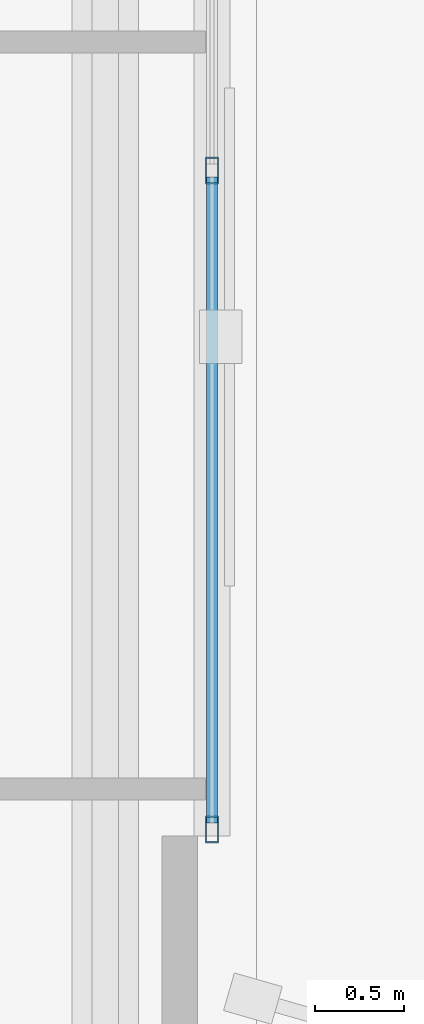
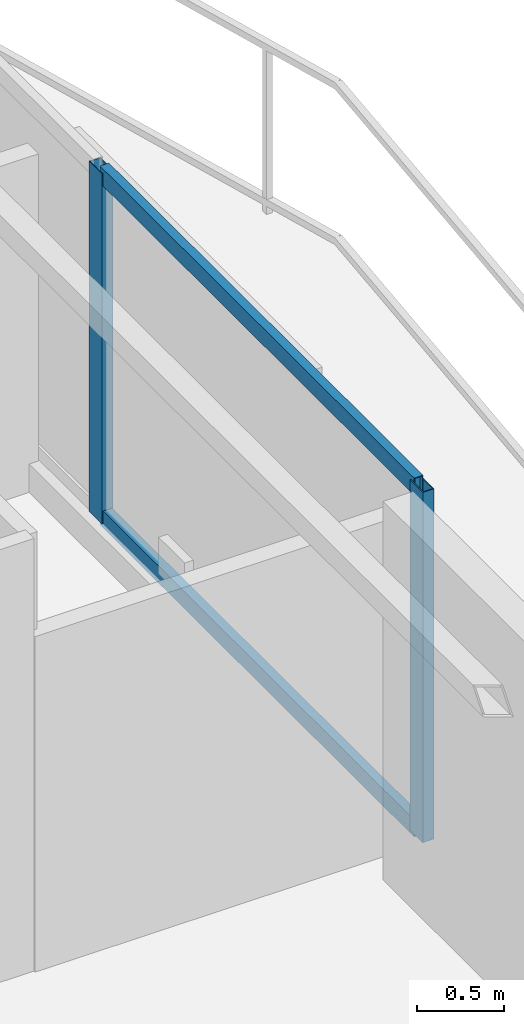
# One storey, part 8 of 23: 4 members, 1 element without a shape of its own.
"""IFC4 building model written with IfcOpenShell, lengths in metres."""

import ifcopenshell
import ifcopenshell.guid

model = None  # the IFC model being written
_history = None  # IfcOwnerHistory: only IFC2X3 demands one
_inside = {}  # id of a spatial element -> (the spatial element, [elements in it])
_under = {}  # id of a project, library or spatial element -> (it, [spatial elements below it])
_declared = {}  # id of a project -> (the project, [libraries it declares])
_typed = {}  # id of a type object -> (the type object, [elements of that type])
_made_of = {}  # id of a material, layer set ... -> (it, [elements and type objects made of it])


def new_model(schema):
    """Start an empty IFC model of exactly this schema.

    Asked for "IFC4X3", IfcOpenShell would pick the latest addendum, in which some entities
    have other attributes; the version numbers below select the first issue.
    IFC2X3 requires an IfcOwnerHistory on every rooted entity: one is made here for all.
    """
    global model, _history
    if schema == "IFC4X3":
        model = ifcopenshell.file(schema_version=(4, 3, 0, 0))
    else:
        model = ifcopenshell.file(schema=schema)
    _inside.clear()
    _under.clear()
    _declared.clear()
    _typed.clear()
    _made_of.clear()
    _history = None
    if model.schema == "IFC2X3":
        org = make("IfcOrganization", Name="unknown")
        user = make(
            "IfcPersonAndOrganization",
            ThePerson=make("IfcPerson", FamilyName="unknown"),
            TheOrganization=org,
        )
        app = make(
            "IfcApplication",
            ApplicationDeveloper=org,
            Version="unknown",
            ApplicationFullName="unknown",
            ApplicationIdentifier="unknown",
        )
        _history = make(
            "IfcOwnerHistory",
            OwningUser=user,
            OwningApplication=app,
            ChangeAction="ADDED",
            CreationDate=0,
        )
    return model


def make(cls, **values):
    """One entity of the class cls with the attributes given. An attribute that is None is left unset."""
    return model.create_entity(
        cls, **{name: value for name, value in values.items() if value is not None}
    )


def rooted(cls, **values):
    """An entity with a GlobalId (a new one), such as an element, a storey or a relation."""
    return make(cls, GlobalId=ifcopenshell.guid.new(), OwnerHistory=_history, **values)


def si_unit(unit_type, name, prefix=None):
    """IfcSIUnit, for example si_unit("LENGTHUNIT", "METRE", prefix="MILLI")."""
    return make("IfcSIUnit", UnitType=unit_type, Prefix=prefix, Name=name)


def assignment(units):
    """IfcUnitAssignment: the units of a project."""
    return None if units is None else make("IfcUnitAssignment", Units=units)


def point(xyz):
    """IfcCartesianPoint."""
    return None if xyz is None else make("IfcCartesianPoint", Coordinates=xyz)


def direction(xyz):
    """IfcDirection."""
    return None if xyz is None else make("IfcDirection", DirectionRatios=xyz)


def frame(location, z_axis=None, x_axis=None):
    """IfcAxis2Placement3D, a coordinate frame: its origin and axes. An axis left out is left unset."""
    return make(
        "IfcAxis2Placement3D",
        Location=point(location),
        Axis=direction(z_axis),
        RefDirection=direction(x_axis),
    )


def frame_2d(location, x_axis=None):
    """IfcAxis2Placement2D, a coordinate frame in the plane: its origin and x axis."""
    return make(
        "IfcAxis2Placement2D", Location=point(location), RefDirection=direction(x_axis)
    )


def origin():
    """The frame at (0, 0, 0) with its axes left unset."""
    return frame((0.0, 0.0, 0.0))


def origin_2d():
    """The frame at (0, 0) in the plane with its x axis left unset."""
    return frame_2d((0.0, 0.0))


def place(relative_to, where):
    """IfcLocalPlacement: puts the frame where relative to a parent placement (None: the world)."""
    return make(
        "IfcLocalPlacement", PlacementRelTo=relative_to, RelativePlacement=where
    )


def context(
    kind, dimensions, precision=None, world=None, true_north=None, identifier=None
):
    """IfcGeometricRepresentationContext, for example the 3D "Model" context."""
    return make(
        "IfcGeometricRepresentationContext",
        ContextIdentifier=identifier,
        ContextType=kind,
        CoordinateSpaceDimension=dimensions,
        Precision=precision,
        WorldCoordinateSystem=world,
        TrueNorth=true_north,
    )


def subcontext(parent, identifier, kind, view, scale=None):
    """IfcGeometricRepresentationSubContext, for example "Body" below "Model"."""
    return make(
        "IfcGeometricRepresentationSubContext",
        ContextIdentifier=identifier,
        ContextType=kind,
        ParentContext=parent,
        TargetScale=scale,
        TargetView=view,
    )


def project(units=None, contexts=None):
    """IfcProject with its units and contexts."""
    return rooted(
        "IfcProject",
        Name="project",
        RepresentationContexts=contexts,
        UnitsInContext=assignment(units),
    )


def spatial(cls, under=None, at=None, **own):
    """A site, building, storey or space (cls), placed at a placement, below another one or the project."""
    s = rooted(cls, ObjectPlacement=at, **own)
    if under is not None:
        _under.setdefault(under.id(), (under, []))[1].append(s)
    return s


def profile(cls, at=None, kind="AREA", **sizes):
    """A parametric profile (cls). Its sizes go by their IFC names, for example OverallWidth=200.0."""
    return make(cls, ProfileType=kind, Position=at, **sizes)


def hollow_rectangle(**sizes):
    """IfcRectangleHollowProfileDef."""
    return profile("IfcRectangleHollowProfileDef", **sizes)


def extrude(swept, where, along, depth):
    """IfcExtrudedAreaSolid: the profile swept, set in the frame where, extruded along a direction by depth."""
    return make(
        "IfcExtrudedAreaSolid",
        SweptArea=swept,
        Position=where,
        ExtrudedDirection=direction(along),
        Depth=depth,
    )


def shape(context_of_items, identifier, shape_type, items):
    """IfcShapeRepresentation: the items that make up one representation, for example the "Body"."""
    return make(
        "IfcShapeRepresentation",
        ContextOfItems=context_of_items,
        RepresentationIdentifier=identifier,
        RepresentationType=shape_type,
        Items=items,
    )


def material(Name=None, Category=None):
    """IfcMaterial."""
    return make("IfcMaterial", Name=Name, Category=Category)


def layer(
    of_material, thickness, ventilated=None, Name=None, Category=None, Priority=None
):
    """IfcMaterialLayer: one layer of a wall or slab, of a material (None: an air gap)."""
    return make(
        "IfcMaterialLayer",
        Material=of_material,
        LayerThickness=thickness,
        IsVentilated=ventilated,
        Name=Name,
        Category=Category,
        Priority=Priority,
    )


def layer_set(layers, Name=None):
    """IfcMaterialLayerSet."""
    return make("IfcMaterialLayerSet", MaterialLayers=layers, LayerSetName=Name)


def material_profile(
    of_material, cross_section, Name=None, Category=None, Priority=None
):
    """IfcMaterialProfile: a cross section and its material."""
    return make(
        "IfcMaterialProfile",
        Name=Name,
        Material=of_material,
        Profile=cross_section,
        Priority=Priority,
        Category=Category,
    )


def profile_set(profiles, Name=None, composite=None):
    """IfcMaterialProfileSet."""
    return make(
        "IfcMaterialProfileSet",
        Name=Name,
        MaterialProfiles=profiles,
        CompositeProfile=composite,
    )


def made_of(thing, what):
    """Note that an element or type object is made of a material, layer set ...; save() writes the relation."""
    if what is not None:
        _made_of.setdefault(what.id(), (what, []))[1].append(thing)
    return thing


def type_object(cls, material=None, **own):
    """A type object (cls), such as IfcWallType, which elements share."""
    return made_of(rooted(cls, **own), material)


def element(
    cls,
    number,
    at=None,
    inside=None,
    cuts=None,
    type_object=None,
    material=None,
    context=None,
    identifier="Body",
    shape_type=None,
    held_by="IfcProductDefinitionShape",
    body=None,
    shapes=None,
    **own,
):
    """One element of the class cls, such as IfcWall. Its Tag is "e" and its number.

    at: its placement. inside: the storey or other place that contains it. cuts: it is an
    opening in that element (IfcRelVoidsElement). A single representation is given by context,
    identifier, shape_type and body (its items); several are given by shapes. held_by: the class
    of the entity that holds the representations. save() writes the other relations.
    """
    e = rooted(cls, Tag="e%d" % number, ObjectPlacement=at, **own)
    if body is not None:
        shapes = [shape(context, identifier, shape_type, body)]
    if shapes is not None:
        e.Representation = make(held_by, Representations=shapes)
    if inside is not None:
        _inside.setdefault(inside.id(), (inside, []))[1].append(e)
    if cuts is not None:
        rooted(
            "IfcRelVoidsElement", RelatingBuildingElement=cuts, RelatedOpeningElement=e
        )
    if type_object is not None:
        _typed.setdefault(type_object.id(), (type_object, []))[1].append(e)
    return made_of(e, material)


def aggregate(whole, parts):
    """IfcRelAggregates: a whole, such as a stair, and the parts it consists of."""
    return rooted("IfcRelAggregates", RelatingObject=whole, RelatedObjects=parts)


def save(model, path):
    """Write the relations noted so far, then the file.

    IfcRelAggregates (storeys below a building ...), IfcRelContainedInSpatialStructure (elements
    in a storey), IfcRelDefinesByType, IfcRelAssociatesMaterial and IfcRelDeclares: one each for
    every whole, place, type object, material and project.
    """
    for whole, parts in _under.values():
        aggregate(whole, parts)
    for where, things in _inside.values():
        rooted(
            "IfcRelContainedInSpatialStructure",
            RelatedElements=things,
            RelatingStructure=where,
        )
    for kind, things in _typed.values():
        rooted("IfcRelDefinesByType", RelatedObjects=things, RelatingType=kind)
    for what, things in _made_of.values():
        rooted("IfcRelAssociatesMaterial", RelatedObjects=things, RelatingMaterial=what)
    for by, libraries in _declared.values():
        rooted("IfcRelDeclares", RelatingContext=by, RelatedDefinitions=libraries)
    model.write(path)


model = new_model("IFC4")

# Units and contexts
model_context = context("Model", 3, precision=1e-05, world=origin(), true_north=direction((0.0, 1.0)))
body_context = subcontext(model_context, "Body", "Model", "MODEL_VIEW")
ifc_project = project(units=[si_unit("LENGTHUNIT", "METRE"), si_unit("AREAUNIT", "SQUARE_METRE"), si_unit("VOLUMEUNIT", "CUBIC_METRE"), si_unit("PLANEANGLEUNIT", "RADIAN"), si_unit("MASSUNIT", "GRAM", prefix="KILO")], contexts=[model_context])

# Site, building, storey
site_placement = place(None, origin())
site = spatial("IfcSite", under=ifc_project, at=site_placement, CompositionType="ELEMENT")
building_placement = place(site_placement, origin())
building = spatial("IfcBuilding", under=site, at=building_placement, Name="Mersakhor Tower and Convention Hall", CompositionType="ELEMENT")
storey_placement = place(building_placement, frame((0.0, 0.0, 80.10009765625)))
storey = spatial("IfcBuildingStorey", under=building, at=storey_placement, Name="L21", CompositionType="ELEMENT", Elevation=80.10009765625)

# Curtain wall, members
ifc_material_1 = material(Name="Dark solar low-E aluminium curtain wall", Category="aluminium")
ifc_layer = layer(ifc_material_1, 0.159912109375)
ifc_layer_set = layer_set([ifc_layer], Name="Dark solar low-E aluminium curtain wall")
curtain_wall_type = type_object("IfcCurtainWallType", Name="CW-SYS-01", PredefinedType="USERDEFINED", material=ifc_layer_set)
curtain_wall_placement = place(storey_placement, origin())
curtain_wall = element("IfcCurtainWall", 1, at=curtain_wall_placement, inside=storey, type_object=curtain_wall_type, Name="L21 Dark-Glass Curtain Wall F2-B2", ObjectType="CURTAIN WALL", PredefinedType="USERDEFINED")
ifc_material_2 = material(Name="Anodised aluminium EN AW-6063 T6", Category="aluminium")
ifc_material_profile_1 = material_profile(ifc_material_2, hollow_rectangle(XDim=0.074951171875, YDim=0.14990234375, WallThickness=0.00634765625, at=origin_2d()), Name="RHS 150x75x6.3")
ifc_profile_set_1 = profile_set([ifc_material_profile_1], Name="Anodised aluminium EN AW-6063 T6")
member_type_1 = type_object("IfcMemberType", Name="CWM-150x75", PredefinedType="MULLION", material=ifc_profile_set_1)
member_1_placement = place(storey_placement, frame((43.03466796875, 24.87841796875, 0.199951171875), z_axis=(0.0, 0.0, 1.0), x_axis=(1.0, 0.0, 0.0)))
member_1 = element("IfcMember", 2, at=member_1_placement, type_object=member_type_1, Name="CW-01 mullion 3", PredefinedType="MULLION", context=body_context, shape_type="SweptSolid", body=[
    extrude(hollow_rectangle(XDim=0.074951171875, YDim=0.14990234375, WallThickness=0.00634765625, at=origin_2d()), origin(), (0.0, 0.0, 1.0), 2.469970703125),
])
member_2_placement = place(storey_placement, frame((43.03466796875, 21.172607421875, 0.199951171875), z_axis=(0.0, 0.0, 1.0), x_axis=(1.0, 0.0, 0.0)))
member_2 = element("IfcMember", 3, at=member_2_placement, type_object=member_type_1, Name="CW-01 mullion 4", PredefinedType="MULLION", context=body_context, shape_type="SweptSolid", body=[
    extrude(hollow_rectangle(XDim=0.074951171875, YDim=0.14990234375, WallThickness=0.00634765625, at=origin_2d()), origin(), (0.0, 0.0, 1.0), 2.469970703125),
])
ifc_material_3 = material(Name="Anodised aluminium EN AW-6063 T6", Category="aluminium")
ifc_material_profile_2 = material_profile(ifc_material_3, hollow_rectangle(XDim=0.06005859375, YDim=0.1201171875, WallThickness=0.0048828125, at=origin_2d()), Name="RHS 120x60x5")
ifc_profile_set_2 = profile_set([ifc_material_profile_2], Name="Anodised aluminium EN AW-6063 T6")
member_type_2 = type_object("IfcMemberType", Name="CWT-120x60", PredefinedType="USERDEFINED", material=ifc_profile_set_2)
member_3_placement = place(storey_placement, frame((43.03466796875, 24.8408203125, 0.22998046875), z_axis=(0.0, -1.0, 0.0), x_axis=(1.0, 0.0, 0.0)))
member_3 = element("IfcMember", 4, at=member_3_placement, type_object=member_type_2, Name="CW-01 transom 3.1", ObjectType="TRANSOM", PredefinedType="USERDEFINED", context=body_context, shape_type="SweptSolid", body=[
    extrude(hollow_rectangle(XDim=0.06005859375, YDim=0.1201171875, WallThickness=0.0048828125, at=origin_2d()), origin(), (0.0, 0.0, 1.0), 3.630615234375),
])
member_4_placement = place(storey_placement, frame((43.03466796875, 24.8408203125, 2.639892578125), z_axis=(0.0, -1.0, 0.0), x_axis=(1.0, 0.0, 0.0)))
member_4 = element("IfcMember", 5, at=member_4_placement, type_object=member_type_2, Name="CW-01 transom 3.2", ObjectType="TRANSOM", PredefinedType="USERDEFINED", context=body_context, shape_type="SweptSolid", body=[
    extrude(hollow_rectangle(XDim=0.06005859375, YDim=0.1201171875, WallThickness=0.0048828125, at=origin_2d()), origin(), (0.0, 0.0, 1.0), 3.630615234375),
])
aggregate(curtain_wall, [member_1, member_2, member_3, member_4])

save(model, "model.ifc")
